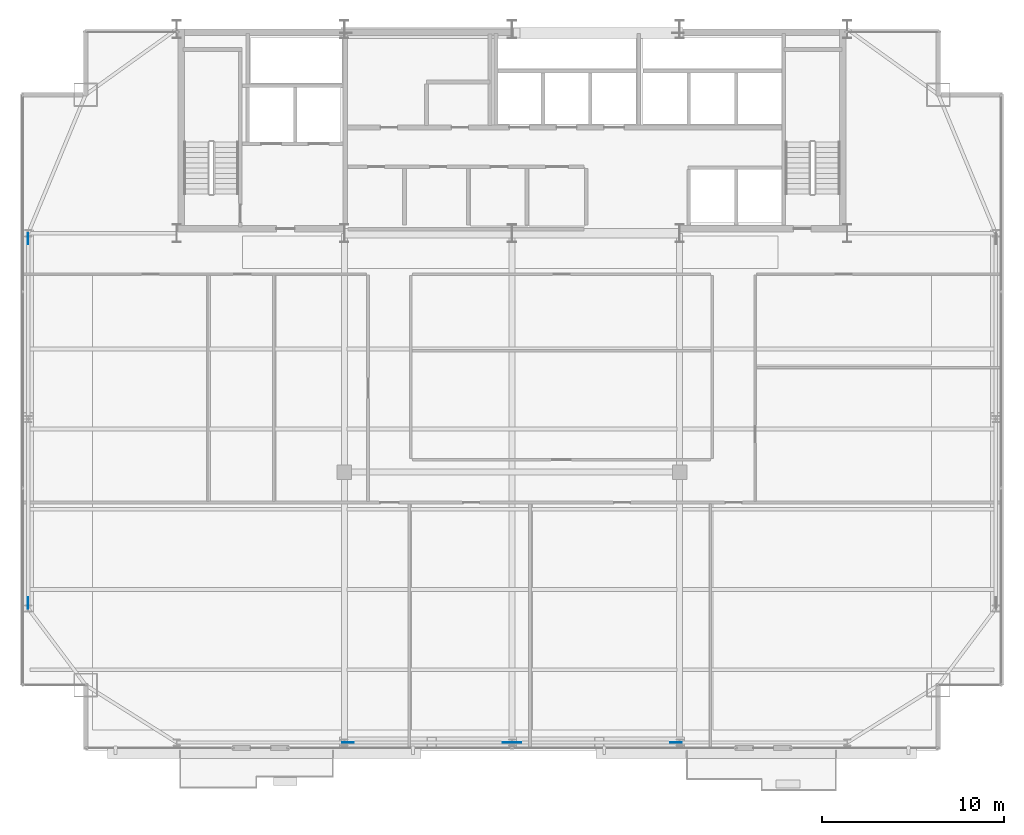
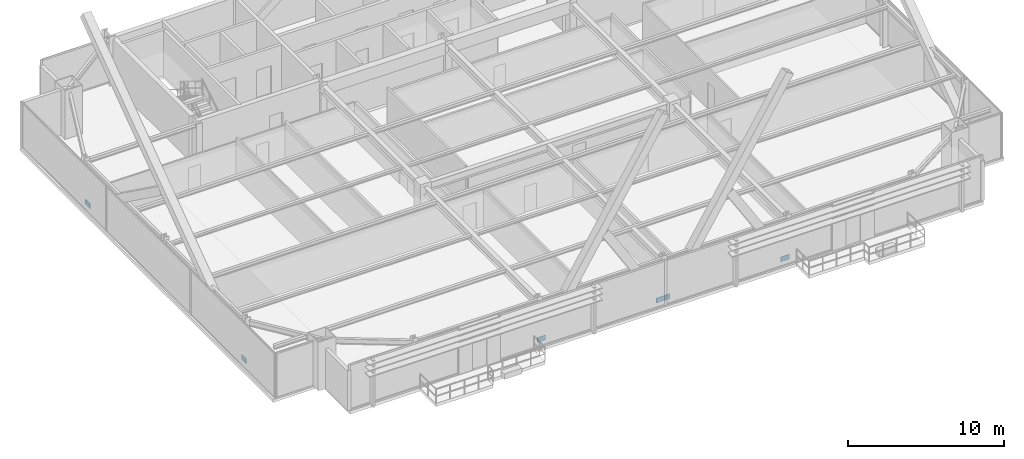
# One storey, part 28 of 34: 6 plates.
"""IFC4 building model written with IfcOpenShell, lengths in metres."""

from ifc_helpers import new_model, si_unit, direction, frame, origin, origin_2d, place, context, subcontext, project, spatial, rectangle, extrude, source, transform, mapped, material, layer, layer_set, type_object, type_shapes, element, save


model = new_model("IFC4")

# Units and contexts
model_context = context("Model", 3, precision=1e-05, world=origin(), true_north=direction((0.0, 1.0)))
body_context = subcontext(model_context, "Body", "Model", "MODEL_VIEW")
ifc_project = project(units=[si_unit("LENGTHUNIT", "METRE"), si_unit("AREAUNIT", "SQUARE_METRE"), si_unit("VOLUMEUNIT", "CUBIC_METRE"), si_unit("PLANEANGLEUNIT", "RADIAN"), si_unit("MASSUNIT", "GRAM", prefix="KILO")], contexts=[model_context])

# Site, building, storey
site_placement = place(None, origin())
site = spatial("IfcSite", under=ifc_project, at=site_placement, CompositionType="ELEMENT")
building_placement = place(site_placement, origin())
building = spatial("IfcBuilding", under=site, at=building_placement, Name="Varnel Quay Broadcast Tower", CompositionType="ELEMENT")
storey_placement = place(building_placement, frame((0.0, 0.0, 176.199951171875)))
storey = spatial("IfcBuildingStorey", under=building, at=storey_placement, Name="L43", CompositionType="ELEMENT", Elevation=176.199951171875)

# Plates
ifc_material = material(Name="Structural Steel CSA G40.21 350WT", Category="steel")
ifc_layer = layer(ifc_material, 0.031982421875, Name="Structural Steel CSA G40.21 350WT")
ifc_layer_set = layer_set([ifc_layer], Name="Structural Steel CSA G40.21 350WT")
plate_type = type_object("IfcPlateType", Name="Plate_EndCap", PredefinedType="USERDEFINED", material=ifc_layer_set)
shared_shape = source(origin(), body_context, "Body", "SweptSolid", [
    extrude(rectangle(XDim=0.6201171875, YDim=0.031982421875, at=origin_2d()), origin(), (0.0, 0.0, 1.0), 0.3798828125),
])
type_shapes(plate_type, [shared_shape])
for number, where, z_axis, x_axis, name in (
    (1, (24.999755859375, 7.64990234375, 0.1533203125), (0.0, 0.0, 1.0), (1.0, 0.0, 0.0), "Zone 3 Mega-Brace S-C1T3 Diag A End Connection Plate P0"),
    (2, (33.80029296875, 7.64990234375, 0.1533203125), (0.0, 0.0, 1.0), (1.0, 0.0, 0.0), "Zone 3 Mega-Brace S-C1T3 Diag B1 End Connection Plate P0"),
    (3, (34.19970703125, 7.64990234375, 0.1533203125), (0.0, 0.0, 1.0), (1.0, 0.0, 0.0), "Zone 3 Mega-Brace S-C2T3 Diag A End Connection Plate P0"),
    (4, (43.000244140625, 7.64990234375, 0.1533203125), (0.0, 0.0, 1.0), (1.0, 0.0, 0.0), "Zone 3 Mega-Brace S-C2T3 Diag B1 End Connection Plate P0"),
    (5, (7.449951171875, 15.30810546875, 0.052490234375), (0.0, 0.0, 1.0), (0.0, 1.0, 0.0), "Zone 3 Mega-Brace W-FT3 Diag A End Connection Plate P0"),
    (6, (7.449951171875, 35.2919921875, 0.052490234375), (0.0, 0.0, 1.0), (0.0, 1.0, 0.0), "Zone 3 Mega-Brace W-FT3 Diag B1 End Connection Plate P0"),
):
    element("IfcPlate", number, at=place(storey_placement, frame(where, z_axis=z_axis, x_axis=x_axis)), inside=storey, type_object=plate_type, Name=name, ObjectType="CAP_PLATE", PredefinedType="USERDEFINED", context=body_context, shape_type="MappedRepresentation", body=[
        mapped(shared_shape, transform((0.0, 0.0, 0.0), x_axis=(1.0, 0.0, 0.0), y_axis=(0.0, 1.0, 0.0), z_axis=(0.0, 0.0, 1.0), scale=1.0)),
    ])

save(model, "model.ifc")
